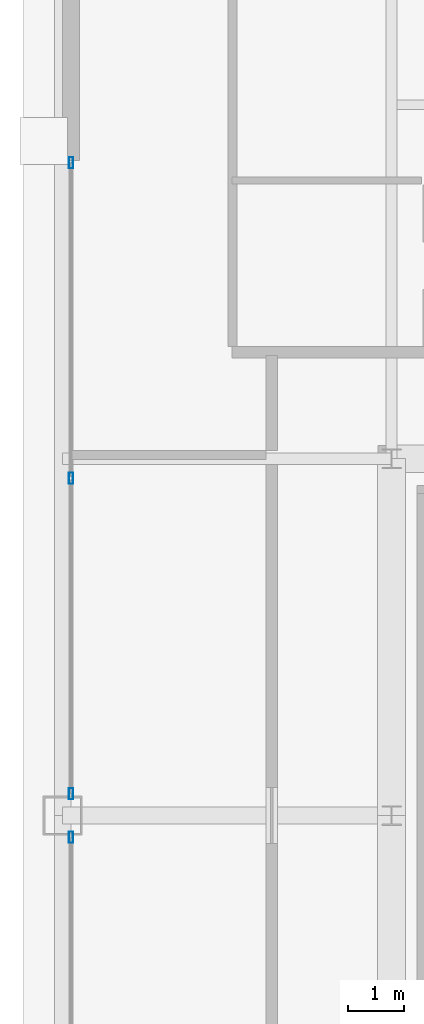
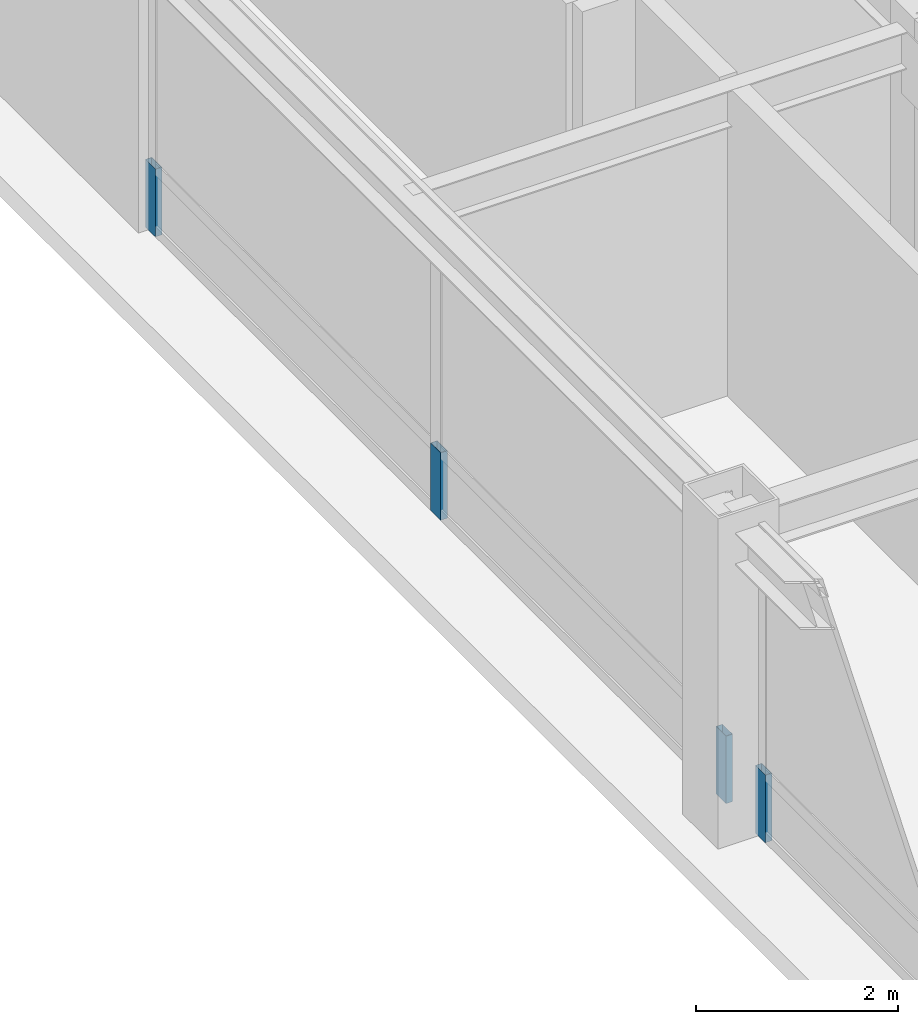
# One storey, part 24 of 34: 4 members, 2 elements without a shape of their own.
"""IFC4 building model written with IfcOpenShell, lengths in metres."""

import ifcopenshell
import ifcopenshell.guid

model = None  # the IFC model being written
_history = None  # IfcOwnerHistory: only IFC2X3 demands one
_inside = {}  # id of a spatial element -> (the spatial element, [elements in it])
_under = {}  # id of a project, library or spatial element -> (it, [spatial elements below it])
_declared = {}  # id of a project -> (the project, [libraries it declares])
_typed = {}  # id of a type object -> (the type object, [elements of that type])
_made_of = {}  # id of a material, layer set ... -> (it, [elements and type objects made of it])


def new_model(schema):
    """Start an empty IFC model of exactly this schema.

    Asked for "IFC4X3", IfcOpenShell would pick the latest addendum, in which some entities
    have other attributes; the version numbers below select the first issue.
    IFC2X3 requires an IfcOwnerHistory on every rooted entity: one is made here for all.
    """
    global model, _history
    if schema == "IFC4X3":
        model = ifcopenshell.file(schema_version=(4, 3, 0, 0))
    else:
        model = ifcopenshell.file(schema=schema)
    _inside.clear()
    _under.clear()
    _declared.clear()
    _typed.clear()
    _made_of.clear()
    _history = None
    if model.schema == "IFC2X3":
        org = make("IfcOrganization", Name="unknown")
        user = make(
            "IfcPersonAndOrganization",
            ThePerson=make("IfcPerson", FamilyName="unknown"),
            TheOrganization=org,
        )
        app = make(
            "IfcApplication",
            ApplicationDeveloper=org,
            Version="unknown",
            ApplicationFullName="unknown",
            ApplicationIdentifier="unknown",
        )
        _history = make(
            "IfcOwnerHistory",
            OwningUser=user,
            OwningApplication=app,
            ChangeAction="ADDED",
            CreationDate=0,
        )
    return model


def make(cls, **values):
    """One entity of the class cls with the attributes given. An attribute that is None is left unset."""
    return model.create_entity(
        cls, **{name: value for name, value in values.items() if value is not None}
    )


def rooted(cls, **values):
    """An entity with a GlobalId (a new one), such as an element, a storey or a relation."""
    return make(cls, GlobalId=ifcopenshell.guid.new(), OwnerHistory=_history, **values)


def si_unit(unit_type, name, prefix=None):
    """IfcSIUnit, for example si_unit("LENGTHUNIT", "METRE", prefix="MILLI")."""
    return make("IfcSIUnit", UnitType=unit_type, Prefix=prefix, Name=name)


def assignment(units):
    """IfcUnitAssignment: the units of a project."""
    return None if units is None else make("IfcUnitAssignment", Units=units)


def point(xyz):
    """IfcCartesianPoint."""
    return None if xyz is None else make("IfcCartesianPoint", Coordinates=xyz)


def direction(xyz):
    """IfcDirection."""
    return None if xyz is None else make("IfcDirection", DirectionRatios=xyz)


def frame(location, z_axis=None, x_axis=None):
    """IfcAxis2Placement3D, a coordinate frame: its origin and axes. An axis left out is left unset."""
    return make(
        "IfcAxis2Placement3D",
        Location=point(location),
        Axis=direction(z_axis),
        RefDirection=direction(x_axis),
    )


def frame_2d(location, x_axis=None):
    """IfcAxis2Placement2D, a coordinate frame in the plane: its origin and x axis."""
    return make(
        "IfcAxis2Placement2D", Location=point(location), RefDirection=direction(x_axis)
    )


def origin():
    """The frame at (0, 0, 0) with its axes left unset."""
    return frame((0.0, 0.0, 0.0))


def origin_2d():
    """The frame at (0, 0) in the plane with its x axis left unset."""
    return frame_2d((0.0, 0.0))


def place(relative_to, where):
    """IfcLocalPlacement: puts the frame where relative to a parent placement (None: the world)."""
    return make(
        "IfcLocalPlacement", PlacementRelTo=relative_to, RelativePlacement=where
    )


def context(
    kind, dimensions, precision=None, world=None, true_north=None, identifier=None
):
    """IfcGeometricRepresentationContext, for example the 3D "Model" context."""
    return make(
        "IfcGeometricRepresentationContext",
        ContextIdentifier=identifier,
        ContextType=kind,
        CoordinateSpaceDimension=dimensions,
        Precision=precision,
        WorldCoordinateSystem=world,
        TrueNorth=true_north,
    )


def subcontext(parent, identifier, kind, view, scale=None):
    """IfcGeometricRepresentationSubContext, for example "Body" below "Model"."""
    return make(
        "IfcGeometricRepresentationSubContext",
        ContextIdentifier=identifier,
        ContextType=kind,
        ParentContext=parent,
        TargetScale=scale,
        TargetView=view,
    )


def project(units=None, contexts=None):
    """IfcProject with its units and contexts."""
    return rooted(
        "IfcProject",
        Name="project",
        RepresentationContexts=contexts,
        UnitsInContext=assignment(units),
    )


def spatial(cls, under=None, at=None, **own):
    """A site, building, storey or space (cls), placed at a placement, below another one or the project."""
    s = rooted(cls, ObjectPlacement=at, **own)
    if under is not None:
        _under.setdefault(under.id(), (under, []))[1].append(s)
    return s


def profile(cls, at=None, kind="AREA", **sizes):
    """A parametric profile (cls). Its sizes go by their IFC names, for example OverallWidth=200.0."""
    return make(cls, ProfileType=kind, Position=at, **sizes)


def hollow_rectangle(**sizes):
    """IfcRectangleHollowProfileDef."""
    return profile("IfcRectangleHollowProfileDef", **sizes)


def extrude(swept, where, along, depth):
    """IfcExtrudedAreaSolid: the profile swept, set in the frame where, extruded along a direction by depth."""
    return make(
        "IfcExtrudedAreaSolid",
        SweptArea=swept,
        Position=where,
        ExtrudedDirection=direction(along),
        Depth=depth,
    )


def shape(context_of_items, identifier, shape_type, items):
    """IfcShapeRepresentation: the items that make up one representation, for example the "Body"."""
    return make(
        "IfcShapeRepresentation",
        ContextOfItems=context_of_items,
        RepresentationIdentifier=identifier,
        RepresentationType=shape_type,
        Items=items,
    )


def source(mapping_origin, context_of_items, identifier, shape_type, items):
    """IfcRepresentationMap: a shape defined once, which mapped items show again and again."""
    return make(
        "IfcRepresentationMap",
        MappingOrigin=mapping_origin,
        MappedRepresentation=shape(context_of_items, identifier, shape_type, items),
    )


def transform(
    local_origin,
    x_axis=None,
    y_axis=None,
    z_axis=None,
    scale=None,
    scale2=None,
    scale3=None,
    uniform=True,
):
    """IfcCartesianTransformationOperator3D, or its non-uniform kind. x_axis, y_axis, z_axis: its Axis1, 2, 3."""
    if uniform:
        return make(
            "IfcCartesianTransformationOperator3D",
            Axis1=direction(x_axis),
            Axis2=direction(y_axis),
            LocalOrigin=point(local_origin),
            Scale=scale,
            Axis3=direction(z_axis),
        )
    return make(
        "IfcCartesianTransformationOperator3DnonUniform",
        Axis1=direction(x_axis),
        Axis2=direction(y_axis),
        LocalOrigin=point(local_origin),
        Scale=scale,
        Axis3=direction(z_axis),
        Scale2=scale2,
        Scale3=scale3,
    )


def mapped(mapping_source, mapping_target):
    """IfcMappedItem: shows the shape of a source again, moved by a transform."""
    return make(
        "IfcMappedItem", MappingSource=mapping_source, MappingTarget=mapping_target
    )


def material(Name=None, Category=None):
    """IfcMaterial."""
    return make("IfcMaterial", Name=Name, Category=Category)


def layer(
    of_material, thickness, ventilated=None, Name=None, Category=None, Priority=None
):
    """IfcMaterialLayer: one layer of a wall or slab, of a material (None: an air gap)."""
    return make(
        "IfcMaterialLayer",
        Material=of_material,
        LayerThickness=thickness,
        IsVentilated=ventilated,
        Name=Name,
        Category=Category,
        Priority=Priority,
    )


def layer_set(layers, Name=None):
    """IfcMaterialLayerSet."""
    return make("IfcMaterialLayerSet", MaterialLayers=layers, LayerSetName=Name)


def material_profile(
    of_material, cross_section, Name=None, Category=None, Priority=None
):
    """IfcMaterialProfile: a cross section and its material."""
    return make(
        "IfcMaterialProfile",
        Name=Name,
        Material=of_material,
        Profile=cross_section,
        Priority=Priority,
        Category=Category,
    )


def profile_set(profiles, Name=None, composite=None):
    """IfcMaterialProfileSet."""
    return make(
        "IfcMaterialProfileSet",
        Name=Name,
        MaterialProfiles=profiles,
        CompositeProfile=composite,
    )


def made_of(thing, what):
    """Note that an element or type object is made of a material, layer set ...; save() writes the relation."""
    if what is not None:
        _made_of.setdefault(what.id(), (what, []))[1].append(thing)
    return thing


def type_object(cls, material=None, **own):
    """A type object (cls), such as IfcWallType, which elements share."""
    return made_of(rooted(cls, **own), material)


def element(
    cls,
    number,
    at=None,
    inside=None,
    cuts=None,
    type_object=None,
    material=None,
    context=None,
    identifier="Body",
    shape_type=None,
    held_by="IfcProductDefinitionShape",
    body=None,
    shapes=None,
    **own,
):
    """One element of the class cls, such as IfcWall. Its Tag is "e" and its number.

    at: its placement. inside: the storey or other place that contains it. cuts: it is an
    opening in that element (IfcRelVoidsElement). A single representation is given by context,
    identifier, shape_type and body (its items); several are given by shapes. held_by: the class
    of the entity that holds the representations. save() writes the other relations.
    """
    e = rooted(cls, Tag="e%d" % number, ObjectPlacement=at, **own)
    if body is not None:
        shapes = [shape(context, identifier, shape_type, body)]
    if shapes is not None:
        e.Representation = make(held_by, Representations=shapes)
    if inside is not None:
        _inside.setdefault(inside.id(), (inside, []))[1].append(e)
    if cuts is not None:
        rooted(
            "IfcRelVoidsElement", RelatingBuildingElement=cuts, RelatedOpeningElement=e
        )
    if type_object is not None:
        _typed.setdefault(type_object.id(), (type_object, []))[1].append(e)
    return made_of(e, material)


def aggregate(whole, parts):
    """IfcRelAggregates: a whole, such as a stair, and the parts it consists of."""
    return rooted("IfcRelAggregates", RelatingObject=whole, RelatedObjects=parts)


def save(model, path):
    """Write the relations noted so far, then the file.

    IfcRelAggregates (storeys below a building ...), IfcRelContainedInSpatialStructure (elements
    in a storey), IfcRelDefinesByType, IfcRelAssociatesMaterial and IfcRelDeclares: one each for
    every whole, place, type object, material and project.
    """
    for whole, parts in _under.values():
        aggregate(whole, parts)
    for where, things in _inside.values():
        rooted(
            "IfcRelContainedInSpatialStructure",
            RelatedElements=things,
            RelatingStructure=where,
        )
    for kind, things in _typed.values():
        rooted("IfcRelDefinesByType", RelatedObjects=things, RelatingType=kind)
    for what, things in _made_of.values():
        rooted("IfcRelAssociatesMaterial", RelatedObjects=things, RelatingMaterial=what)
    for by, libraries in _declared.values():
        rooted("IfcRelDeclares", RelatingContext=by, RelatedDefinitions=libraries)
    model.write(path)


model = new_model("IFC4")

# Units and contexts
model_context = context("Model", 3, precision=1e-05, world=origin(), true_north=direction((0.0, 1.0)))
body_context = subcontext(model_context, "Body", "Model", "MODEL_VIEW")
ifc_project = project(units=[si_unit("LENGTHUNIT", "METRE"), si_unit("AREAUNIT", "SQUARE_METRE"), si_unit("VOLUMEUNIT", "CUBIC_METRE"), si_unit("PLANEANGLEUNIT", "RADIAN"), si_unit("MASSUNIT", "GRAM", prefix="KILO"), si_unit("THERMODYNAMICTEMPERATUREUNIT", "KELVIN"), si_unit("POWERUNIT", "WATT")], contexts=[model_context])

# Site, building, storey
site_placement = place(None, origin())
site = spatial("IfcSite", under=ifc_project, at=site_placement, CompositionType="ELEMENT")
building_placement = place(site_placement, origin())
building = spatial("IfcBuilding", under=site, at=building_placement, Name="Yuzanri Waterfront Tower", CompositionType="ELEMENT")
storey_placement = place(building_placement, frame((0.0, 0.0, 339.199951171875)))
storey = spatial("IfcBuildingStorey", under=building, at=storey_placement, Name="L91", CompositionType="ELEMENT", Elevation=339.199951171875)

# Curtain wall, member
ifc_material_1 = material(Name="Anodized Architectural Bronze", Category="metal")
ifc_layer = layer(ifc_material_1, 0.159912109375)
ifc_layer_set = layer_set([ifc_layer], Name="Anodized Architectural Bronze")
curtain_wall_type = type_object("IfcCurtainWallType", Name="Anodized Bronze High-Rise Penthouse High-Wind Unitized Curtain Wall 6900", PredefinedType="NOTDEFINED", material=ifc_layer_set)
curtain_wall_1_placement = place(storey_placement, origin())
curtain_wall_1 = element("IfcCurtainWall", 1, at=curtain_wall_1_placement, inside=storey, type_object=curtain_wall_type, Name="L91 Curtain Wall CW-L91-WL", PredefinedType="NOTDEFINED")
ifc_material_2 = material(Name="Anodized Architectural Bronze", Category="metal")
ifc_material_profile = material_profile(ifc_material_2, hollow_rectangle(XDim=0.074951171875, YDim=0.199951171875, WallThickness=0.00390625, at=origin_2d()), Name="CWM 75x200")
ifc_profile_set = profile_set([ifc_material_profile], Name="Anodized Architectural Bronze")
member_type = type_object("IfcMemberType", Name="Anodized Bronze Primary Curtain-Wall Mullion 75x200", PredefinedType="MULLION", material=ifc_profile_set)
shared_shape = source(origin(), body_context, "Body", "SweptSolid", [
    extrude(hollow_rectangle(XDim=0.074951171875, YDim=0.199951171875, WallThickness=0.00390625, at=origin_2d()), origin(), (0.0, 0.0, 1.0), 0.818115234375),
])
member_1_placement = place(storey_placement, frame((18.050048828125, 25.409912109375, 0.0), z_axis=(0.0, 0.0, 1.0), x_axis=(1.0, 0.0, 0.0)))
member_1 = element("IfcMember", 2, at=member_1_placement, type_object=member_type, Name="CW-L91-WL Lower Mullion 02", PredefinedType="MULLION", context=body_context, shape_type="MappedRepresentation", body=[
    mapped(shared_shape, transform((0.0, 0.0, 0.0), scale=1.0)),
])
aggregate(curtain_wall_1, [member_1])

# Curtain wall, members
curtain_wall_2_placement = place(storey_placement, origin())
curtain_wall_2 = element("IfcCurtainWall", 3, at=curtain_wall_2_placement, inside=storey, type_object=curtain_wall_type, Name="L91 Curtain Wall CW-L91-WR", PredefinedType="NOTDEFINED")
member_2_placement = place(storey_placement, frame((18.050048828125, 26.18994140625, 0.0), z_axis=(0.0, 0.0, 1.0), x_axis=(1.0, 0.0, 0.0)))
member_2 = element("IfcMember", 4, at=member_2_placement, type_object=member_type, Name="CW-L91-WR Lower Mullion 00", PredefinedType="MULLION", context=body_context, shape_type="MappedRepresentation", body=[
    mapped(shared_shape, transform((0.0, 0.0, 0.0), scale=1.0)),
])
member_3_placement = place(storey_placement, frame((18.050048828125, 31.85009765625, 0.0), z_axis=(0.0, 0.0, 1.0), x_axis=(1.0, 0.0, 0.0)))
member_3 = element("IfcMember", 5, at=member_3_placement, type_object=member_type, Name="CW-L91-WR Lower Mullion 01", PredefinedType="MULLION", context=body_context, shape_type="MappedRepresentation", body=[
    mapped(shared_shape, transform((0.0, 0.0, 0.0), scale=1.0)),
])
member_4_placement = place(storey_placement, frame((18.050048828125, 37.510009765625, 0.0), z_axis=(0.0, 0.0, 1.0), x_axis=(1.0, 0.0, 0.0)))
member_4 = element("IfcMember", 6, at=member_4_placement, type_object=member_type, Name="CW-L91-WR Lower Mullion 02", PredefinedType="MULLION", context=body_context, shape_type="MappedRepresentation", body=[
    mapped(shared_shape, transform((0.0, 0.0, 0.0), scale=1.0)),
])
aggregate(curtain_wall_2, [member_2, member_3, member_4])

save(model, "model.ifc")
